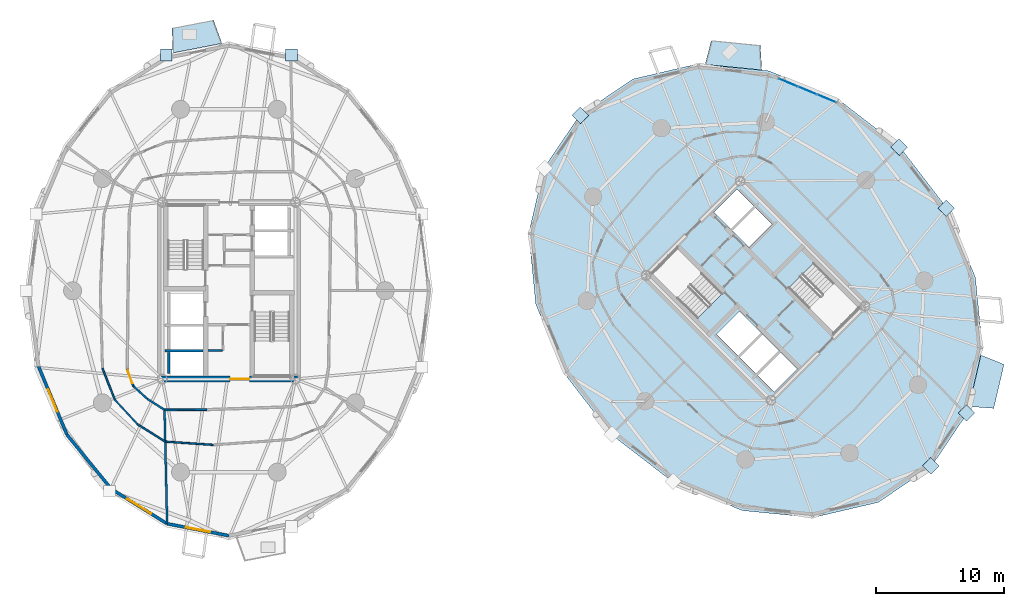
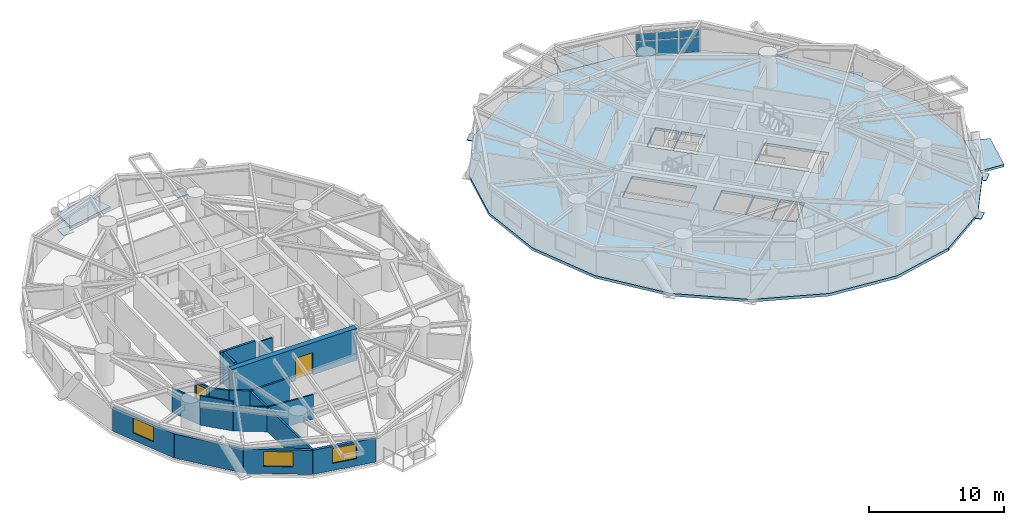
# One storey, part 9 of 18: 17 walls, 13 plates, 4 slabs, 3 windows, 2 doors, 5 openings, 1 element without a shape of its own.
"""IFC4 building model written with IfcOpenShell, lengths in metres."""

from ifc_helpers import new_model, si_unit, direction, frame, frame_2d, origin, origin_2d, place, context, subcontext, project, spatial, polyline, rectangle, outline, extrude, source, transform, mapped, material, layer, layer_set, type_object, element, fill, aggregate, save


model = new_model("IFC4")

# Units and contexts
model_context = context("Model", 3, precision=1e-05, world=origin(), true_north=direction((0.0, 1.0)))
body_context = subcontext(model_context, "Body", "Model", "MODEL_VIEW")
ifc_project = project(units=[si_unit("LENGTHUNIT", "METRE"), si_unit("AREAUNIT", "SQUARE_METRE"), si_unit("VOLUMEUNIT", "CUBIC_METRE"), si_unit("PLANEANGLEUNIT", "RADIAN"), si_unit("MASSUNIT", "GRAM", prefix="KILO")], contexts=[model_context])

# Site, building, storey
site_placement = place(None, origin())
site = spatial("IfcSite", under=ifc_project, at=site_placement, CompositionType="ELEMENT")
building_placement = place(site_placement, origin())
building = spatial("IfcBuilding", under=site, at=building_placement, Name="Cununo Teusaquillo Station Towers", CompositionType="ELEMENT")
storey_placement = place(building_placement, frame((0.0, 0.0, 93.429931640625)))
storey = spatial("IfcBuildingStorey", under=building, at=storey_placement, Name="L29", CompositionType="ELEMENT", Elevation=93.429931640625)

# Slabs
ifc_material_1 = material(Name="Concrete C50/60", Category="concrete")
ifc_layer_1 = layer(ifc_material_1, 0.2099609375)
ifc_layer_set_1 = layer_set([ifc_layer_1], Name="Concrete C50/60")
slab_type_1 = type_object("IfcSlabType", Name="SLB-BAL-210", PredefinedType="FLOOR", material=ifc_layer_set_1)
slab_1_placement = place(storey_placement, frame((0.0, 0.0, -0.2099609375)))
element("IfcSlab", 1, at=slab_1_placement, inside=storey, type_object=slab_type_1, Name="L29 Tower A Tree Balcony Slab 1", PredefinedType="FLOOR", context=body_context, shape_type="SweptSolid", body=[
    extrude(outline(polyline([(15.958984375, 43.75048828125), (12.1376953125, 43.01220703125), (12.069091796875, 44.94921875), (15.30126953125, 45.573974609375), (15.958984375, 43.75048828125)])), origin(), (0.0, 0.0, 1.0), 0.2099609375),
])
slab_2_placement = place(storey_placement, frame((0.0, 0.0, -0.2099609375)))
element("IfcSlab", 2, at=slab_2_placement, inside=storey, type_object=slab_type_1, Name="L29 Tower B Tree Balcony Slab 1", PredefinedType="FLOOR", context=body_context, shape_type="SweptSolid", body=[
    extrude(outline(polyline([(57.984375, 41.675048828125), (53.57080078125, 42.1123046875), (54.05810546875, 43.988525390625), (57.87451171875, 43.6103515625), (57.984375, 41.675048828125)])), origin(), (0.0, 0.0, 1.0), 0.2099609375),
])
slab_3_placement = place(storey_placement, frame((0.0, 0.0, -0.2099609375)))
element("IfcSlab", 3, at=slab_3_placement, inside=storey, type_object=slab_type_1, Name="L29 Tower B Tree Balcony Slab 2", PredefinedType="FLOOR", context=body_context, shape_type="SweptSolid", body=[
    extrude(outline(polyline([(74.1083984375, 15.4873046875), (75.04150390625, 19.486083984375), (76.83837890625, 18.7587890625), (76.04150390625, 15.344482421875), (74.1083984375, 15.4873046875)])), origin(), (0.0, 0.0, 1.0), 0.2099609375),
])
ifc_material_2 = material(Name="Concrete C40/50", Category="concrete")
ifc_layer_2 = layer(ifc_material_2, 0.239990234375)
ifc_layer_set_2 = layer_set([ifc_layer_2], Name="Concrete C40/50")
slab_type_2 = type_object("IfcSlabType", Name="SLB-Z2-240", PredefinedType="FLOOR", material=ifc_layer_set_2)
slab_4_placement = place(storey_placement, frame((0.0, 0.0, -0.239990234375)))
element("IfcSlab", 4, at=slab_4_placement, inside=storey, type_object=slab_type_2, Name="L29 Tower B Floor Slab", PredefinedType="FLOOR", context=body_context, shape_type="SweptSolid", body=[
    extrude(outline(polyline([(68.71533203125, 35.71533203125), (63.938232421875, 39.39453125), (58.531005859375, 41.61572265625), (53.02294921875, 42.16162109375), (47.952880859375, 40.978515625), (43.8173828125, 38.1826171875), (41.021484375, 34.047119140625), (39.83837890625, 28.97705078125), (40.38427734375, 23.468994140625), (42.60546875, 18.061767578125), (46.28466796875, 13.28466796875), (51.061767578125, 9.60546875), (56.468994140625, 7.38427734375), (61.97705078125, 6.83837890625), (67.047119140625, 8.021484375), (71.1826171875, 10.8173828125), (73.978515625, 14.952880859375), (75.16162109375, 20.02294921875), (74.61572265625, 25.531005859375), (72.39453125, 30.938232421875), (68.71533203125, 35.71533203125)]), holes=[polyline([(54.914794921875, 24.28515625), (51.390625, 27.809326171875), (49.43896484375, 25.857666015625), (52.963134765625, 22.33349609375), (54.914794921875, 24.28515625)]), polyline([(60.085205078125, 24.71484375), (63.609375, 21.190673828125), (65.56103515625, 23.142333984375), (62.036865234375, 26.66650390625), (60.085205078125, 24.71484375)]), polyline([(56.156494140625, 19.40869140625), (57.945556640625, 21.19775390625), (56.248291015625, 22.89501953125), (54.45947265625, 21.10595703125), (56.156494140625, 19.40869140625)]), polyline([(58.94970703125, 16.61572265625), (60.738525390625, 18.40478515625), (59.430419921875, 19.712890625), (57.641357421875, 17.923828125), (58.94970703125, 16.61572265625)]), polyline([(57.535400390625, 18.030029296875), (59.32421875, 19.819091796875), (58.01611328125, 21.127197265625), (56.227294921875, 19.338134765625), (57.535400390625, 18.030029296875)]), polyline([(56.98388671875, 27.872802734375), (58.772705078125, 29.661865234375), (57.464599609375, 30.969970703125), (55.67578125, 29.180908203125), (56.98388671875, 27.872802734375)]), polyline([(55.569580078125, 29.287109375), (57.358642578125, 31.076171875), (56.05029296875, 32.38427734375), (54.261474609375, 30.59521484375), (55.569580078125, 29.287109375)])]), origin(), (0.0, 0.0, 1.0), 0.239990234375),
])

# Plates
ifc_material_3 = material(Name="Steel ASTM A572 Grade 50", Category="steel")
ifc_layer_3 = layer(ifc_material_3, 0.050048828125)
ifc_layer_set_3 = layer_set([ifc_layer_3], Name="Steel ASTM A572 Grade 50")
plate_type_1 = type_object("IfcPlateType", Name="PLT-NODE-DN1", PredefinedType="USERDEFINED", material=ifc_layer_set_3)
shared_shape_1 = source(origin(), body_context, "Body", "SweptSolid", [
    extrude(rectangle(XDim=0.919921875, YDim=0.919921875, at=origin_2d()), origin(), (0.0, 0.0, 1.0), 0.050048828125),
])
for number, where, z_axis, x_axis, name in (
    (5, (21.3828125, 42.845947265625, -0.1650390625), (0.0, 0.0, 1.0), (1.0, 0.0, 0.0), "L29 Tower A Diagrid Node Assembly C03"),
    (6, (11.6171875, 42.845947265625, -0.1650390625), (0.0, 0.0, 1.0), (1.0, 0.0, 0.0), "L29 Tower A Diagrid Node Assembly C06"),
    (7, (68.673095703125, 35.673095703125, -0.1650390625), (0.0, 0.0, 1.0), (0.707106781187, 0.707106781187, 0.0), "L29 Tower B Diagrid Node Assembly C00"),
    (8, (43.85986328125, 38.14013671875, -0.1650390625), (0.0, 0.0, 1.0), (0.707106781187, 0.707106781187, 0.0), "L29 Tower B Diagrid Node Assembly C04"),
    (9, (71.14013671875, 10.85986328125, -0.1650390625), (0.0, 0.0, 1.0), (0.707106781187, 0.707106781187, 0.0), "L29 Tower B Diagrid Node Assembly C14"),
    (10, (73.92529296875, 14.980224609375, -0.1650390625), (0.0, 0.0, 1.0), (0.707106781187, 0.707106781187, 0.0), "L29 Tower B Diagrid Node Assembly C16"),
    (11, (72.341064453125, 30.9111328125, -0.1650390625), (0.0, 0.0, 1.0), (0.707106781187, 0.707106781187, 0.0), "L29 Tower B Diagrid Node Assembly C18"),
):
    element("IfcPlate", number, at=place(storey_placement, frame(where, z_axis=z_axis, x_axis=x_axis)), inside=storey, type_object=plate_type_1, Name=name, ObjectType="GUSSET PLATE", PredefinedType="USERDEFINED", context=body_context, shape_type="MappedRepresentation", body=[
        mapped(shared_shape_1, transform((0.0, 0.0, 0.0), x_axis=(1.0, 0.0, 0.0), y_axis=(0.0, 1.0, 0.0), z_axis=(0.0, 0.0, 1.0), scale=1.0)),
    ])

# Curtain wall, plates
ifc_material_4 = material(Name="Ceramic-fritted dark low-E double glazing", Category="glass")
ifc_layer_4 = layer(ifc_material_4, 0.179931640625)
ifc_layer_set_4 = layer_set([ifc_layer_4], Name="Ceramic-fritted dark low-E double glazing")
curtain_wall_type = type_object("IfcCurtainWallType", Name="CW-SYS-04", PredefinedType="USERDEFINED", material=ifc_layer_set_4)
curtain_wall_placement = place(storey_placement, origin())
curtain_wall = element("IfcCurtainWall", 12, at=curtain_wall_placement, inside=storey, type_object=curtain_wall_type, Name="L29 Tower B Facade Curtain Wall C01", ObjectType="FRITTED GLAZING", PredefinedType="USERDEFINED")
ifc_material_5 = material(Name="Ceramic-fritted dark low-E double glazing", Category="glass")
ifc_layer_5 = layer(ifc_material_5, 0.028076171875)
ifc_layer_set_5 = layer_set([ifc_layer_5], Name="Ceramic-fritted dark low-E double glazing")
plate_type_2 = type_object("IfcPlateType", Name="CWP-FRIT-28", PredefinedType="CURTAIN_PANEL", material=ifc_layer_set_5)
shared_shape_2 = source(origin(), body_context, "Body", "SweptSolid", [
    extrude(rectangle(XDim=1.531005859375, YDim=0.028076171875, at=origin_2d()), origin(), (0.0, 0.0, 1.0), 1.31103515625),
])
plate_1_placement = place(storey_placement, frame((60.045654296875, 40.697021484375, 0.070068359375), z_axis=(0.0, 0.0, 1.0), x_axis=(0.924562443652, -0.381030560176, 0.0)))
plate_1 = element("IfcPlate", 13, at=plate_1_placement, type_object=plate_type_2, Name="CW-04 panel 1.1", PredefinedType="CURTAIN_PANEL", context=body_context, shape_type="MappedRepresentation", body=[
    mapped(shared_shape_2, transform((0.0, 0.0, 0.0), x_axis=(1.0, 0.0, 0.0), y_axis=(0.0, 1.0, 0.0), z_axis=(0.0, 0.0, 1.0), scale=1.0)),
])
plate_2_placement = place(storey_placement, frame((63.03857421875, 39.463623046875, 0.070068359375), z_axis=(0.0, 0.0, 1.0), x_axis=(0.924562443652, -0.381030560176, 0.0)))
plate_2 = element("IfcPlate", 14, at=plate_2_placement, type_object=plate_type_2, Name="CW-04 panel 3.1", PredefinedType="CURTAIN_PANEL", context=body_context, shape_type="MappedRepresentation", body=[
    mapped(shared_shape_2, transform((0.0, 0.0, 0.0), x_axis=(1.0, 0.0, 0.0), y_axis=(0.0, 1.0, 0.0), z_axis=(0.0, 0.0, 1.0), scale=1.0)),
])
shared_shape_3 = source(origin(), body_context, "Body", "SweptSolid", [
    extrude(rectangle(XDim=1.531005859375, YDim=0.028076171875, at=origin_2d()), origin(), (0.0, 0.0, 1.0), 0.657958984375),
])
plate_3_placement = place(storey_placement, frame((60.045654296875, 40.697021484375, 1.451171875), z_axis=(0.0, 0.0, 1.0), x_axis=(0.924562443652, -0.381030560176, 0.0)))
plate_3 = element("IfcPlate", 15, at=plate_3_placement, type_object=plate_type_2, Name="CW-04 panel 1.2", PredefinedType="CURTAIN_PANEL", context=body_context, shape_type="MappedRepresentation", body=[
    mapped(shared_shape_3, transform((0.0, 0.0, 0.0), x_axis=(1.0, 0.0, 0.0), y_axis=(0.0, 1.0, 0.0), z_axis=(0.0, 0.0, 1.0), scale=1.0)),
])
plate_4_placement = place(storey_placement, frame((63.03857421875, 39.463623046875, 1.451171875), z_axis=(0.0, 0.0, 1.0), x_axis=(0.924562443652, -0.381030560176, 0.0)))
plate_4 = element("IfcPlate", 16, at=plate_4_placement, type_object=plate_type_2, Name="CW-04 panel 3.2", PredefinedType="CURTAIN_PANEL", context=body_context, shape_type="MappedRepresentation", body=[
    mapped(shared_shape_3, transform((0.0, 0.0, 0.0), x_axis=(1.0, 0.0, 0.0), y_axis=(0.0, 1.0, 0.0), z_axis=(0.0, 0.0, 1.0), scale=1.0)),
])
shared_shape_4 = source(origin(), body_context, "Body", "SweptSolid", [
    extrude(rectangle(XDim=1.566162109375, YDim=0.028076171875, at=origin_2d()), origin(), (0.0, 0.0, 1.0), 1.31103515625),
])
plate_5_placement = place(storey_placement, frame((61.542236328125, 40.080322265625, 0.070068359375), z_axis=(0.0, 0.0, 1.0), x_axis=(0.924562443652, -0.381030560176, 0.0)))
plate_5 = element("IfcPlate", 17, at=plate_5_placement, type_object=plate_type_2, Name="CW-04 panel 2.1", PredefinedType="CURTAIN_PANEL", context=body_context, shape_type="MappedRepresentation", body=[
    mapped(shared_shape_4, transform((0.0, 0.0, 0.0), x_axis=(1.0, 0.0, 0.0), y_axis=(0.0, 1.0, 0.0), z_axis=(0.0, 0.0, 1.0), scale=1.0)),
])
shared_shape_5 = source(origin(), body_context, "Body", "SweptSolid", [
    extrude(rectangle(XDim=1.566162109375, YDim=0.028076171875, at=origin_2d()), origin(), (0.0, 0.0, 1.0), 0.657958984375),
])
plate_6_placement = place(storey_placement, frame((61.542236328125, 40.080322265625, 1.451171875), z_axis=(0.0, 0.0, 1.0), x_axis=(0.924562443652, -0.381030560176, 0.0)))
plate_6 = element("IfcPlate", 18, at=plate_6_placement, type_object=plate_type_2, Name="CW-04 panel 2.2", PredefinedType="CURTAIN_PANEL", context=body_context, shape_type="MappedRepresentation", body=[
    mapped(shared_shape_5, transform((0.0, 0.0, 0.0), x_axis=(1.0, 0.0, 0.0), y_axis=(0.0, 1.0, 0.0), z_axis=(0.0, 0.0, 1.0), scale=1.0)),
])
aggregate(curtain_wall, [plate_1, plate_3, plate_5, plate_6, plate_2, plate_4])

# Walls
ifc_material_6 = material(Name="Concrete C50/60", Category="concrete")
ifc_layer_6 = layer(ifc_material_6, 0.199951171875)
ifc_layer_set_6 = layer_set([ifc_layer_6], Name="Concrete C50/60")
wall_type_1 = type_object("IfcWallType", Name="WL-CORE-200", PredefinedType="SHEAR", material=ifc_layer_set_6)
wall_1_placement = place(storey_placement, frame((11.52001953125, 19.824951171875, 0.0), z_axis=(0.0, 0.0, 1.0), x_axis=(1.0, 0.0, 0.0)))
element("IfcWall", 19, at=wall_1_placement, inside=storey, type_object=wall_type_1, Name="L29 Tower A High-Rise Lift Hoistway Divider Shear Wall", PredefinedType="SHEAR", context=body_context, shape_type="SweptSolid", body=[
    extrude(rectangle(XDim=2.969970703125, YDim=0.199951171875, at=frame_2d((1.48486328125, 0.0))), origin(), (0.0, 0.0, 1.0), 2.91015625),
])
wall_2_placement = place(storey_placement, frame((11.820068359375, 18.070068359375, 0.0), z_axis=(0.0, 0.0, 1.0), x_axis=(0.0, 1.0, 0.0)))
element("IfcWall", 20, at=wall_2_placement, inside=storey, type_object=wall_type_1, Name="L29 Tower A High-Rise Lift 1 Shaft Rear Shear Wall", PredefinedType="SHEAR", context=body_context, shape_type="SweptSolid", body=[
    extrude(rectangle(XDim=1.635009765625, YDim=0.199951171875, at=frame_2d((0.8173828125, 0.0))), origin(), (0.0, 0.0, 1.0), 2.91015625),
])

# Wall, opening, door
ifc_material_7 = material(Name="Concrete C60/75", Category="concrete")
ifc_layer_7 = layer(ifc_material_7, 0.449951171875)
ifc_layer_set_7 = layer_set([ifc_layer_7], Name="Concrete C60/75")
wall_type_2 = type_object("IfcWallType", Name="WL-CORE-450", PredefinedType="SHEAR", material=ifc_layer_set_7)
wall_3_placement = place(storey_placement, frame((11.14990234375, 17.625, 0.0), z_axis=(0.0, 0.0, 1.0), x_axis=(1.0, 0.0, 0.0)))
wall_3 = element("IfcWall", 21, at=wall_3_placement, inside=storey, type_object=wall_type_2, Name="L29 Tower A Core Shear Wall S", PredefinedType="SHEAR", context=body_context, shape_type="SweptSolid", body=[
    extrude(rectangle(XDim=10.7001953125, YDim=0.449951171875, at=frame_2d((5.35009765625, 0.0))), origin(), (0.0, 0.0, 1.0), 2.91015625),
])
shared_shape_6 = source(origin(), body_context, "Body", "SweptSolid", [
    extrude(rectangle(XDim=1.5, YDim=2.02001953125, at=frame_2d((0.75, 1.010009765625))), frame((0.0, 0.23486328125, 0.0), z_axis=(0.0, -1.0, 0.0), x_axis=(1.0, 0.0, 0.0)), (0.0, 0.0, 1.0), 0.469970703125),
])
opening_1_placement = place(wall_3_placement, frame((5.449951171875, 0.0, 0.0)))
opening_1 = element("IfcOpeningElement", 22, at=opening_1_placement, cuts=wall_3, Name="Opening D-LB1", PredefinedType="OPENING", context=body_context, shape_type="MappedRepresentation", body=[
    mapped(shared_shape_6, transform((0.0, 0.0, 0.0), x_axis=(1.0, 0.0, 0.0), y_axis=(0.0, 1.0, 0.0), z_axis=(0.0, 0.0, 1.0), scale=1.0)),
])
ifc_material_8 = material(Name="Galvanised fire-rated hollow steel door assembly", Category="steel")
door_type_1 = type_object("IfcDoorType", Name="DR-LOBBY-1500", OperationType="DOUBLE_DOOR_SINGLE_SWING", PredefinedType="DOOR", material=ifc_material_8)
shared_shape_7 = source(origin(), body_context, "Body", "SweptSolid", [
    extrude(rectangle(XDim=1.5, YDim=2.02001953125, at=frame_2d((0.75, 1.010009765625))), frame((0.0, 0.02490234375, 0.0), z_axis=(0.0, -1.0, 0.0), x_axis=(1.0, 0.0, 0.0)), (0.0, 0.0, 1.0), 0.050048828125),
])
door_1_placement = place(opening_1_placement, origin())
door_1 = element("IfcDoor", 23, at=door_1_placement, inside=storey, type_object=door_type_1, Name="L29 Tower A South Core Lift Lobby Door", OperationType="DOUBLE_DOOR_SINGLE_SWING", OverallHeight=2.02001953125, OverallWidth=1.5, PredefinedType="DOOR", context=body_context, shape_type="MappedRepresentation", body=[
    mapped(shared_shape_7, transform((0.0, 0.0, 0.0), x_axis=(1.0, 0.0, 0.0), y_axis=(0.0, 1.0, 0.0), z_axis=(0.0, 0.0, 1.0), scale=1.0)),
])
fill(opening_1, door_1)

# Wall, opening, window
ifc_material_9 = material(Name="Precast concrete C40/50", Category="concrete")
ifc_layer_8 = layer(ifc_material_9, 0.239990234375)
ifc_layer_set_8 = layer_set([ifc_layer_8], Name="Precast concrete C40/50")
wall_type_3 = type_object("IfcWallType", Name="WL-EXT-240", PredefinedType="SOLIDWALL", material=ifc_layer_set_8)
wall_4_placement = place(storey_placement, frame((3.894775390625, 13.291015625, 0.0), z_axis=(0.0, 0.0, 1.0), x_axis=(-0.384344417632, 0.923189779317, 0.0)))
wall_4 = element("IfcWall", 24, at=wall_4_placement, inside=storey, type_object=wall_type_3, Name="L29 Tower A Exterior Facade Wall C11", PredefinedType="SOLIDWALL", context=body_context, shape_type="SweptSolid", body=[
    extrude(rectangle(XDim=5.75830078125, YDim=0.239990234375, at=frame_2d((2.879150390625, 0.0))), origin(), (0.0, 0.0, 1.0), 2.178955078125),
])
shared_shape_8 = source(origin(), body_context, "Body", "SweptSolid", [
    extrude(rectangle(XDim=1.89990234375, YDim=1.35009765625, at=frame_2d((0.949951171875, 0.675048828125))), frame((0.0, 0.1298828125, 0.0), z_axis=(0.0, -1.0, 0.0), x_axis=(1.0, 0.0, 0.0)), (0.0, 0.0, 1.0), 0.260009765625),
])
opening_2_placement = place(wall_4_placement, frame((1.928955078125, 0.0, 0.64990234375)))
opening_2 = element("IfcOpeningElement", 25, at=opening_2_placement, cuts=wall_4, Name="Opening WN-02", PredefinedType="OPENING", context=body_context, shape_type="MappedRepresentation", body=[
    mapped(shared_shape_8, transform((0.0, 0.0, 0.0), x_axis=(1.0, 0.0, 0.0), y_axis=(0.0, 1.0, 0.0), z_axis=(0.0, 0.0, 1.0), scale=1.0)),
])
ifc_material_10 = material(Name="Operable acoustic tinted low-E double glazing", Category="glass")
window_type_1 = type_object("IfcWindowType", Name="WIN-OPER-1900", PartitioningType="DOUBLE_PANEL_VERTICAL", PredefinedType="WINDOW", material=ifc_material_10)
shared_shape_9 = source(origin(), body_context, "Body", "SweptSolid", [
    extrude(rectangle(XDim=1.89990234375, YDim=1.35009765625, at=frame_2d((0.949951171875, 0.675048828125))), frame((0.0, 0.030029296875, 0.0), z_axis=(0.0, -1.0, 0.0), x_axis=(1.0, 0.0, 0.0)), (0.0, 0.0, 1.0), 0.06005859375),
])
window_1_placement = place(opening_2_placement, origin())
window_1 = element("IfcWindow", 26, at=window_1_placement, inside=storey, type_object=window_type_1, Name="L29 Tower A Facade Window C11", OverallHeight=1.35009765625, OverallWidth=1.89990234375, PartitioningType="DOUBLE_PANEL_VERTICAL", PredefinedType="WINDOW", context=body_context, shape_type="MappedRepresentation", body=[
    mapped(shared_shape_9, transform((0.0, 0.0, 0.0), x_axis=(1.0, 0.0, 0.0), y_axis=(0.0, 1.0, 0.0), z_axis=(0.0, 0.0, 1.0), scale=1.0)),
])
fill(opening_2, window_1)

# Wall
wall_5_placement = place(storey_placement, frame((7.341796875, 9.072021484375, 0.0), z_axis=(0.0, 0.0, 1.0), x_axis=(-0.632700781152, 0.77439635945, 0.0)))
element("IfcWall", 27, at=wall_5_placement, inside=storey, type_object=wall_type_3, Name="L29 Tower A Exterior Facade Wall C12", PredefinedType="SOLIDWALL", context=body_context, shape_type="SweptSolid", body=[
    extrude(rectangle(XDim=5.447998046875, YDim=0.239990234375, at=frame_2d((2.72412109375, 0.0))), origin(), (0.0, 0.0, 1.0), 2.178955078125),
])

# Wall, opening, window
wall_6_placement = place(storey_placement, frame((11.685302734375, 6.36328125, 0.0), z_axis=(0.0, 0.0, 1.0), x_axis=(-0.848520380187, 0.529162701263, 0.0)))
wall_6 = element("IfcWall", 28, at=wall_6_placement, inside=storey, type_object=wall_type_3, Name="L29 Tower A Exterior Facade Wall C13", PredefinedType="SOLIDWALL", context=body_context, shape_type="SweptSolid", body=[
    extrude(rectangle(XDim=5.118896484375, YDim=0.239990234375, at=frame_2d((2.5595703125, 0.0))), origin(), (0.0, 0.0, 1.0), 2.178955078125),
])
shared_shape_10 = source(origin(), body_context, "Body", "SweptSolid", [
    extrude(rectangle(XDim=2.199951171875, YDim=1.35009765625, at=frame_2d((1.10009765625, 0.675048828125))), frame((0.0, 0.1298828125, 0.0), z_axis=(0.0, -1.0, 0.0), x_axis=(1.0, 0.0, 0.0)), (0.0, 0.0, 1.0), 0.260009765625),
])
opening_3_placement = place(wall_6_placement, frame((1.458984375, 0.0, 0.64990234375)))
opening_3 = element("IfcOpeningElement", 29, at=opening_3_placement, cuts=wall_6, Name="Opening WN-01", PredefinedType="OPENING", context=body_context, shape_type="MappedRepresentation", body=[
    mapped(shared_shape_10, transform((0.0, 0.0, 0.0), x_axis=(1.0, 0.0, 0.0), y_axis=(0.0, 1.0, 0.0), z_axis=(0.0, 0.0, 1.0), scale=1.0)),
])
ifc_material_11 = material(Name="Ceramic-fritted dark low-E double glazing", Category="glass")
window_type_2 = type_object("IfcWindowType", Name="WIN-FRIT-2200", PartitioningType="DOUBLE_PANEL_VERTICAL", PredefinedType="WINDOW", material=ifc_material_11)
shared_shape_11 = source(origin(), body_context, "Body", "SweptSolid", [
    extrude(rectangle(XDim=2.199951171875, YDim=1.35009765625, at=frame_2d((1.10009765625, 0.675048828125))), frame((0.0, 0.030029296875, 0.0), z_axis=(0.0, -1.0, 0.0), x_axis=(1.0, 0.0, 0.0)), (0.0, 0.0, 1.0), 0.06005859375),
])
window_2_placement = place(opening_3_placement, origin())
window_2 = element("IfcWindow", 30, at=window_2_placement, inside=storey, type_object=window_type_2, Name="L29 Tower A Facade Window C13", OverallHeight=1.35009765625, OverallWidth=2.199951171875, PartitioningType="DOUBLE_PANEL_VERTICAL", PredefinedType="WINDOW", context=body_context, shape_type="MappedRepresentation", body=[
    mapped(shared_shape_11, transform((0.0, 0.0, 0.0), x_axis=(1.0, 0.0, 0.0), y_axis=(0.0, 1.0, 0.0), z_axis=(0.0, 0.0, 1.0), scale=1.0)),
])
fill(opening_3, window_2)

wall_7_placement = place(storey_placement, frame((16.5, 5.429931640625, 0.0), z_axis=(0.0, 0.0, 1.0), x_axis=(-0.981723785992, 0.190311344954, 0.0)))
wall_7 = element("IfcWall", 31, at=wall_7_placement, inside=storey, type_object=wall_type_3, Name="L29 Tower A Exterior Facade Wall C14", PredefinedType="SOLIDWALL", context=body_context, shape_type="SweptSolid", body=[
    extrude(rectangle(XDim=4.904296875, YDim=0.239990234375, at=frame_2d((2.4521484375, 0.0))), origin(), (0.0, 0.0, 1.0), 2.178955078125),
])
opening_4_placement = place(wall_7_placement, frame((1.501953125, 0.0, 0.64990234375)))
opening_4 = element("IfcOpeningElement", 32, at=opening_4_placement, cuts=wall_7, Name="Opening WN-02", PredefinedType="OPENING", context=body_context, shape_type="MappedRepresentation", body=[
    mapped(shared_shape_8, transform((0.0, 0.0, 0.0), x_axis=(1.0, 0.0, 0.0), y_axis=(0.0, 1.0, 0.0), z_axis=(0.0, 0.0, 1.0), scale=1.0)),
])
window_3_placement = place(opening_4_placement, origin())
window_3 = element("IfcWindow", 33, at=window_3_placement, inside=storey, type_object=window_type_1, Name="L29 Tower A Facade Window C14", OverallHeight=1.35009765625, OverallWidth=1.89990234375, PartitioningType="DOUBLE_PANEL_VERTICAL", PredefinedType="WINDOW", context=body_context, shape_type="MappedRepresentation", body=[
    mapped(shared_shape_9, transform((0.0, 0.0, 0.0), x_axis=(1.0, 0.0, 0.0), y_axis=(0.0, 1.0, 0.0), z_axis=(0.0, 0.0, 1.0), scale=1.0)),
])
fill(opening_4, window_3)

# Walls
ifc_material_12 = material(Name="Fire-rated gypsum plasterboard partition assembly", Category="gypsum")
ifc_layer_9 = layer(ifc_material_12, 0.125)
ifc_layer_set_9 = layer_set([ifc_layer_9], Name="Fire-rated gypsum plasterboard partition assembly")
wall_type_4 = type_object("IfcWallType", Name="WL-PART-125", PredefinedType="PARTITIONING", material=ifc_layer_set_9)
wall_8_placement = place(storey_placement, frame((14.8798828125, 19.85009765625, 0.0), z_axis=(0.0, 0.0, 1.0), x_axis=(1.0, 0.0, 0.0)))
element("IfcWall", 34, at=wall_8_placement, inside=storey, type_object=wall_type_4, Name="L29 Tower A North-West Lobby Store South Wall", PredefinedType="PARTITIONING", context=body_context, shape_type="SweptSolid", body=[
    extrude(rectangle(XDim=1.10009765625, YDim=0.125, at=frame_2d((0.550048828125, 0.0))), origin(), (0.0, 0.0, 1.0), 2.655029296875),
])
wall_9_placement = place(storey_placement, frame((6.658935546875, 18.462158203125, 0.0), z_axis=(0.0, 0.0, 1.0), x_axis=(0.364644852064, -0.931146675805, 0.0)))
element("IfcWall", 35, at=wall_9_placement, inside=storey, type_object=wall_type_4, Name="L29 Tower A Client Demo Briefing Gallery Concentric Partition Wall C11", PredefinedType="PARTITIONING", context=body_context, shape_type="SweptSolid", body=[
    extrude(rectangle(XDim=2.62451171875, YDim=0.125, at=frame_2d((1.312255859375, 0.0))), origin(), (0.0, 0.0, 1.0), 2.22509765625),
])
wall_10_placement = place(storey_placement, frame((7.615966796875, 16.018310546875, 0.0), z_axis=(0.0, 0.0, 1.0), x_axis=(0.67871125453, -0.734405223956, 0.0)))
element("IfcWall", 36, at=wall_10_placement, inside=storey, type_object=wall_type_4, Name="L29 Tower A Client Demo Briefing Gallery Concentric Partition Wall C12", PredefinedType="PARTITIONING", context=body_context, shape_type="SweptSolid", body=[
    extrude(rectangle(XDim=2.58642578125, YDim=0.125, at=frame_2d((1.293212890625, 0.0))), origin(), (0.0, 0.0, 1.0), 2.655029296875),
])
wall_11_placement = place(storey_placement, frame((9.371337890625, 14.118896484375, 0.0), z_axis=(0.0, 0.0, 1.0), x_axis=(0.846446940893, -0.532473075613, 0.0)))
element("IfcWall", 37, at=wall_11_placement, inside=storey, type_object=wall_type_4, Name="L29 Tower A Client Demo Briefing Gallery Concentric Partition Wall C13", PredefinedType="PARTITIONING", context=body_context, shape_type="SweptSolid", body=[
    extrude(rectangle(XDim=2.56982421875, YDim=0.125, at=frame_2d((1.284912109375, 0.0))), origin(), (0.0, 0.0, 1.0), 2.22509765625),
])
wall_12_placement = place(storey_placement, frame((11.546630859375, 12.75048828125, 0.0), z_axis=(0.0, 0.0, 1.0), x_axis=(0.997731575096, -0.067317932645, 0.0)))
element("IfcWall", 38, at=wall_12_placement, inside=storey, type_object=wall_type_4, Name="L29 Tower A Staff Espresso & Pantry Lounge Concentric Partition Wall C14", PredefinedType="PARTITIONING", context=body_context, shape_type="SweptSolid", body=[
    extrude(rectangle(XDim=3.73193359375, YDim=0.125, at=frame_2d((1.865966796875, 0.0))), origin(), (0.0, 0.0, 1.0), 2.22509765625),
])

# Wall, opening, door
ifc_material_13 = material(Name="Fire-rated gypsum plasterboard partition assembly", Category="gypsum")
ifc_layer_10 = layer(ifc_material_13, 0.14990234375)
ifc_layer_set_10 = layer_set([ifc_layer_10], Name="Fire-rated gypsum plasterboard partition assembly")
wall_type_5 = type_object("IfcWallType", Name="WL-PART-150", PredefinedType="PARTITIONING", material=ifc_layer_set_10)
wall_13_placement = place(storey_placement, frame((8.58740234375, 18.4033203125, 0.0), z_axis=(0.0, 0.0, 1.0), x_axis=(0.333119120686, -0.942884749815, 0.0)))
wall_13 = element("IfcWall", 39, at=wall_13_placement, inside=storey, type_object=wall_type_5, Name="L29 Tower A Corridor Ring Wall C11", PredefinedType="PARTITIONING", context=body_context, shape_type="SweptSolid", body=[
    extrude(rectangle(XDim=1.409423828125, YDim=0.14990234375, at=frame_2d((0.70458984375, 0.0))), origin(), (0.0, 0.0, 1.0), 2.22509765625),
])
shared_shape_12 = source(origin(), body_context, "Body", "SweptSolid", [
    extrude(rectangle(XDim=1.050048828125, YDim=2.014892578125, at=frame_2d((0.52490234375, 1.00732421875))), frame((0.0, 0.0849609375, 0.0), z_axis=(0.0, -1.0, 0.0), x_axis=(1.0, 0.0, 0.0)), (0.0, 0.0, 1.0), 0.169921875),
])
opening_5_placement = place(wall_13_placement, frame((0.1201171875, 0.0, 0.0)))
opening_5 = element("IfcOpeningElement", 40, at=opening_5_placement, cuts=wall_13, Name="Opening D-SU1", PredefinedType="OPENING", context=body_context, shape_type="MappedRepresentation", body=[
    mapped(shared_shape_12, transform((0.0, 0.0, 0.0), x_axis=(1.0, 0.0, 0.0), y_axis=(0.0, 1.0, 0.0), z_axis=(0.0, 0.0, 1.0), scale=1.0)),
])
ifc_material_14 = material(Name="Acoustic solid-core hardwood leaf assembly", Category="wood")
door_type_2 = type_object("IfcDoorType", Name="DR-SUITE-1050", OperationType="NOTDEFINED", PredefinedType="DOOR", material=ifc_material_14)
shared_shape_13 = source(origin(), body_context, "Body", "SweptSolid", [
    extrude(rectangle(XDim=1.050048828125, YDim=2.014892578125, at=frame_2d((0.52490234375, 1.00732421875))), frame((0.0, 0.02490234375, 0.0), z_axis=(0.0, -1.0, 0.0), x_axis=(1.0, 0.0, 0.0)), (0.0, 0.0, 1.0), 0.050048828125),
])
door_2_placement = place(opening_5_placement, origin())
door_2 = element("IfcDoor", 41, at=door_2_placement, inside=storey, type_object=door_type_2, Name="L29 Tower A Client Demo Briefing Gallery Entrance Door", OperationType="SINGLE_SWING_RIGHT", OverallHeight=2.014892578125, OverallWidth=1.050048828125, PredefinedType="DOOR", context=body_context, shape_type="MappedRepresentation", body=[
    mapped(shared_shape_13, transform((0.0, 0.0, 0.0), x_axis=(1.0, 0.0, 0.0), y_axis=(0.0, 1.0, 0.0), z_axis=(0.0, 0.0, 1.0), scale=1.0)),
])
fill(opening_5, door_2)

# Walls
wall_14_placement = place(storey_placement, frame((9.056884765625, 17.074462890625, 0.0), z_axis=(0.0, 0.0, 1.0), x_axis=(0.739999571423, -0.672607340351, 0.0)))
element("IfcWall", 42, at=wall_14_placement, inside=storey, type_object=wall_type_5, Name="L29 Tower A Corridor Ring Wall C12", PredefinedType="PARTITIONING", context=body_context, shape_type="SweptSolid", body=[
    extrude(rectangle(XDim=1.4853515625, YDim=0.14990234375, at=frame_2d((0.74267578125, 0.0))), origin(), (0.0, 0.0, 1.0), 2.22509765625),
])
wall_15_placement = place(storey_placement, frame((10.156005859375, 16.075439453125, 0.0), z_axis=(0.0, 0.0, 1.0), x_axis=(0.843896624713, -0.536505812455, 0.0)))
element("IfcWall", 43, at=wall_15_placement, inside=storey, type_object=wall_type_5, Name="L29 Tower A Corridor Ring Wall C13", PredefinedType="PARTITIONING", context=body_context, shape_type="SweptSolid", body=[
    extrude(rectangle(XDim=1.581298828125, YDim=0.14990234375, at=frame_2d((0.79052734375, 0.0))), origin(), (0.0, 0.0, 1.0), 2.22509765625),
])
wall_16_placement = place(storey_placement, frame((11.490478515625, 15.22705078125, 0.0), z_axis=(0.0, 0.0, 1.0), x_axis=(0.999991728046, 0.004067411998, 0.0)))
element("IfcWall", 44, at=wall_16_placement, inside=storey, type_object=wall_type_5, Name="L29 Tower A Corridor Ring Wall C14", PredefinedType="PARTITIONING", context=body_context, shape_type="SweptSolid", body=[
    extrude(rectangle(XDim=3.30126953125, YDim=0.14990234375, at=frame_2d((1.650634765625, 0.0))), origin(), (0.0, 0.0, 1.0), 2.22509765625),
])
ifc_material_15 = material(Name="Fire-rated gypsum plasterboard partition assembly", Category="gypsum")
ifc_layer_11 = layer(ifc_material_15, 0.159912109375)
ifc_layer_set_11 = layer_set([ifc_layer_11], Name="Fire-rated gypsum plasterboard partition assembly")
wall_type_6 = type_object("IfcWallType", Name="WL-PART-160", PredefinedType="PARTITIONING", material=ifc_layer_set_11)
wall_17_placement = place(storey_placement, frame((11.490478515625, 15.22705078125, 0.0), z_axis=(0.0, 0.0, 1.0), x_axis=(0.022711375682, -0.999742063442, 0.0)))
element("IfcWall", 45, at=wall_17_placement, inside=storey, type_object=wall_type_6, Name="L29 Tower A Radial Suite Partition R04", PredefinedType="PARTITIONING", context=body_context, shape_type="SweptSolid", body=[
    extrude(rectangle(XDim=8.846923828125, YDim=0.159912109375, at=frame_2d((4.42333984375, 0.0))), origin(), (0.0, 0.0, 1.0), 2.178955078125),
])

save(model, "model.ifc")
